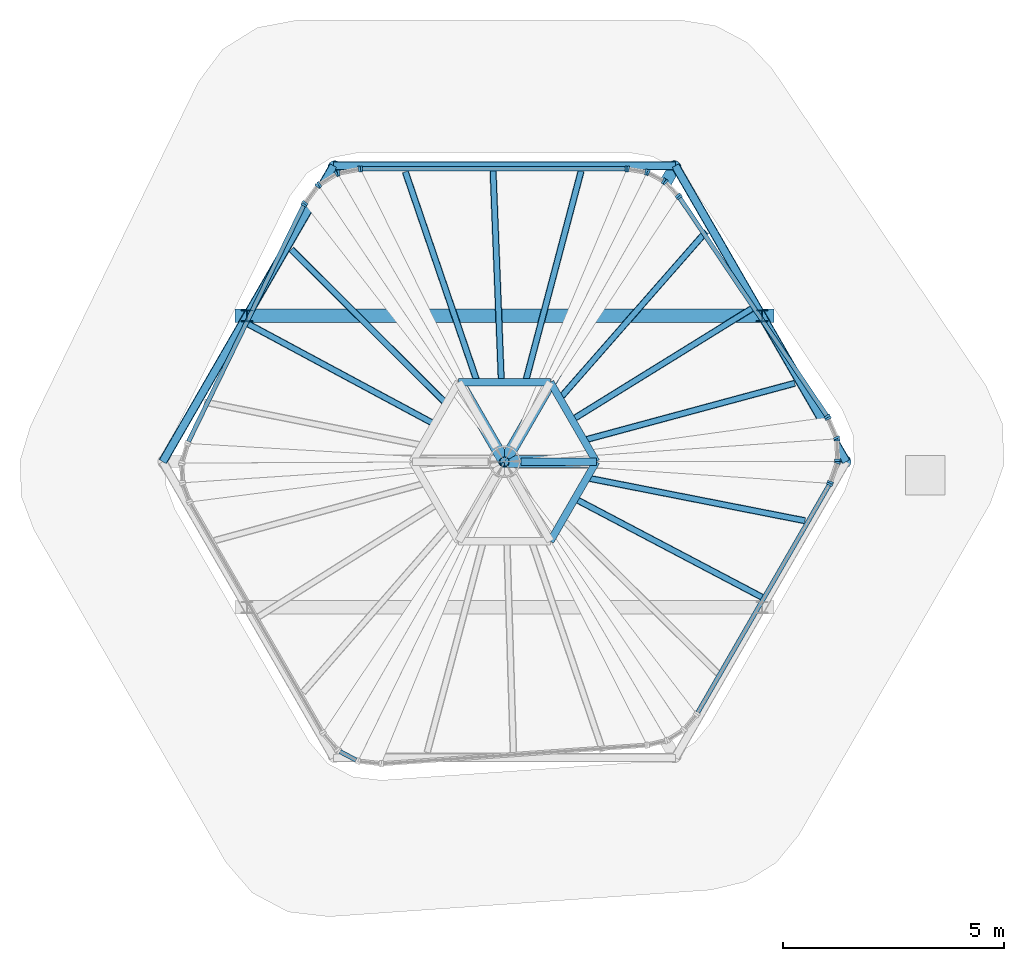
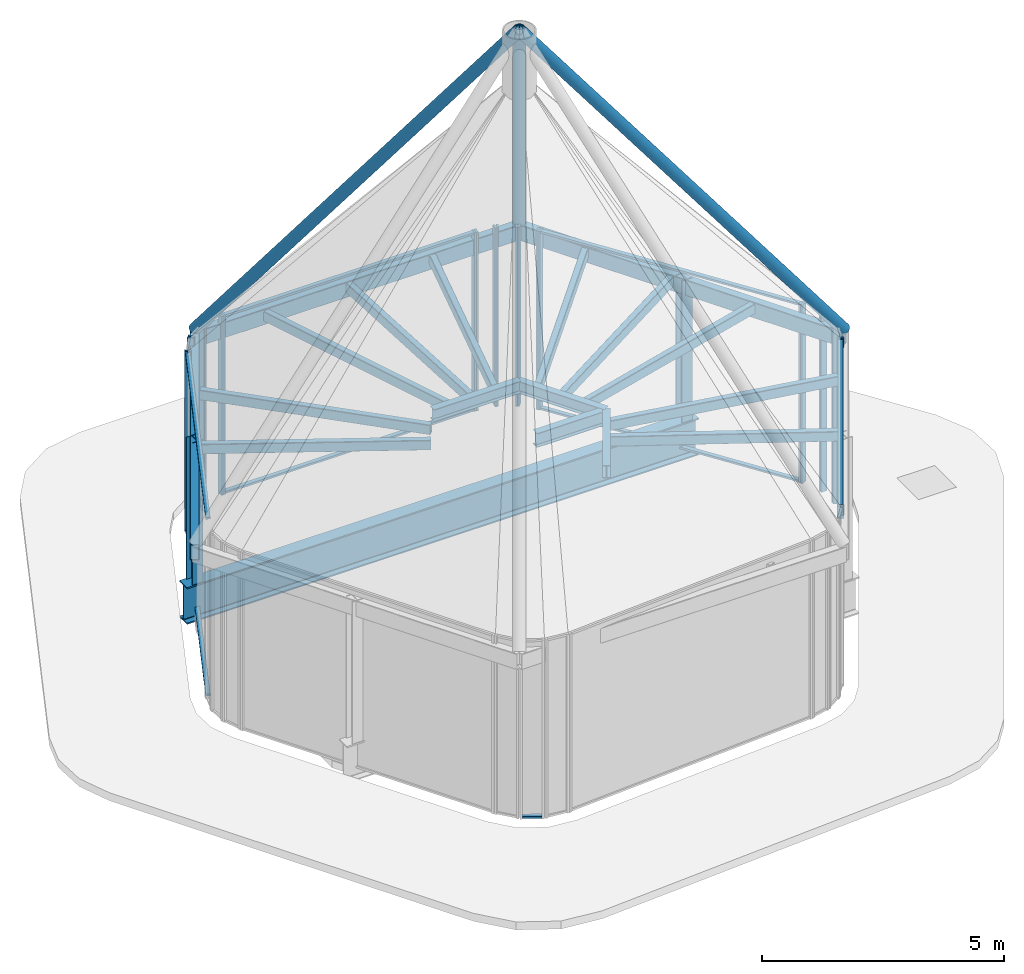
# One storey, part 2 of 4: 37 members, 18 beams, 14 elements without a shape of their own.
"""IFC4 building model written with IfcOpenShell, lengths in metres."""

import ifcopenshell
import ifcopenshell.guid

model = None  # the IFC model being written
_history = None  # IfcOwnerHistory: only IFC2X3 demands one
_inside = {}  # id of a spatial element -> (the spatial element, [elements in it])
_under = {}  # id of a project, library or spatial element -> (it, [spatial elements below it])
_declared = {}  # id of a project -> (the project, [libraries it declares])
_typed = {}  # id of a type object -> (the type object, [elements of that type])
_made_of = {}  # id of a material, layer set ... -> (it, [elements and type objects made of it])


def new_model(schema):
    """Start an empty IFC model of exactly this schema.

    Asked for "IFC4X3", IfcOpenShell would pick the latest addendum, in which some entities
    have other attributes; the version numbers below select the first issue.
    IFC2X3 requires an IfcOwnerHistory on every rooted entity: one is made here for all.
    """
    global model, _history
    if schema == "IFC4X3":
        model = ifcopenshell.file(schema_version=(4, 3, 0, 0))
    else:
        model = ifcopenshell.file(schema=schema)
    _inside.clear()
    _under.clear()
    _declared.clear()
    _typed.clear()
    _made_of.clear()
    _history = None
    if model.schema == "IFC2X3":
        org = make("IfcOrganization", Name="unknown")
        user = make(
            "IfcPersonAndOrganization",
            ThePerson=make("IfcPerson", FamilyName="unknown"),
            TheOrganization=org,
        )
        app = make(
            "IfcApplication",
            ApplicationDeveloper=org,
            Version="unknown",
            ApplicationFullName="unknown",
            ApplicationIdentifier="unknown",
        )
        _history = make(
            "IfcOwnerHistory",
            OwningUser=user,
            OwningApplication=app,
            ChangeAction="ADDED",
            CreationDate=0,
        )
    return model


def make(cls, **values):
    """One entity of the class cls with the attributes given. An attribute that is None is left unset."""
    return model.create_entity(
        cls, **{name: value for name, value in values.items() if value is not None}
    )


def rooted(cls, **values):
    """An entity with a GlobalId (a new one), such as an element, a storey or a relation."""
    return make(cls, GlobalId=ifcopenshell.guid.new(), OwnerHistory=_history, **values)


def si_unit(unit_type, name, prefix=None):
    """IfcSIUnit, for example si_unit("LENGTHUNIT", "METRE", prefix="MILLI")."""
    return make("IfcSIUnit", UnitType=unit_type, Prefix=prefix, Name=name)


def assignment(units):
    """IfcUnitAssignment: the units of a project."""
    return None if units is None else make("IfcUnitAssignment", Units=units)


def point(xyz):
    """IfcCartesianPoint."""
    return None if xyz is None else make("IfcCartesianPoint", Coordinates=xyz)


def direction(xyz):
    """IfcDirection."""
    return None if xyz is None else make("IfcDirection", DirectionRatios=xyz)


def frame(location, z_axis=None, x_axis=None):
    """IfcAxis2Placement3D, a coordinate frame: its origin and axes. An axis left out is left unset."""
    return make(
        "IfcAxis2Placement3D",
        Location=point(location),
        Axis=direction(z_axis),
        RefDirection=direction(x_axis),
    )


def frame_2d(location, x_axis=None):
    """IfcAxis2Placement2D, a coordinate frame in the plane: its origin and x axis."""
    return make(
        "IfcAxis2Placement2D", Location=point(location), RefDirection=direction(x_axis)
    )


def origin():
    """The frame at (0, 0, 0) with its axes left unset."""
    return frame((0.0, 0.0, 0.0))


def origin_2d():
    """The frame at (0, 0) in the plane with its x axis left unset."""
    return frame_2d((0.0, 0.0))


def place(relative_to, where):
    """IfcLocalPlacement: puts the frame where relative to a parent placement (None: the world)."""
    return make(
        "IfcLocalPlacement", PlacementRelTo=relative_to, RelativePlacement=where
    )


def context(
    kind, dimensions, precision=None, world=None, true_north=None, identifier=None
):
    """IfcGeometricRepresentationContext, for example the 3D "Model" context."""
    return make(
        "IfcGeometricRepresentationContext",
        ContextIdentifier=identifier,
        ContextType=kind,
        CoordinateSpaceDimension=dimensions,
        Precision=precision,
        WorldCoordinateSystem=world,
        TrueNorth=true_north,
    )


def subcontext(parent, identifier, kind, view, scale=None):
    """IfcGeometricRepresentationSubContext, for example "Body" below "Model"."""
    return make(
        "IfcGeometricRepresentationSubContext",
        ContextIdentifier=identifier,
        ContextType=kind,
        ParentContext=parent,
        TargetScale=scale,
        TargetView=view,
    )


def project(units=None, contexts=None):
    """IfcProject with its units and contexts."""
    return rooted(
        "IfcProject",
        Name="project",
        RepresentationContexts=contexts,
        UnitsInContext=assignment(units),
    )


def spatial(cls, under=None, at=None, **own):
    """A site, building, storey or space (cls), placed at a placement, below another one or the project."""
    s = rooted(cls, ObjectPlacement=at, **own)
    if under is not None:
        _under.setdefault(under.id(), (under, []))[1].append(s)
    return s


def profile(cls, at=None, kind="AREA", **sizes):
    """A parametric profile (cls). Its sizes go by their IFC names, for example OverallWidth=200.0."""
    return make(cls, ProfileType=kind, Position=at, **sizes)


def rectangle(**sizes):
    """IfcRectangleProfileDef."""
    return profile("IfcRectangleProfileDef", **sizes)


def hollow_rectangle(**sizes):
    """IfcRectangleHollowProfileDef."""
    return profile("IfcRectangleHollowProfileDef", **sizes)


def hollow_circle(**sizes):
    """IfcCircleHollowProfileDef."""
    return profile("IfcCircleHollowProfileDef", **sizes)


def i_section(**sizes):
    """IfcIShapeProfileDef."""
    return profile("IfcIShapeProfileDef", **sizes)


def extrude(swept, where, along, depth):
    """IfcExtrudedAreaSolid: the profile swept, set in the frame where, extruded along a direction by depth."""
    return make(
        "IfcExtrudedAreaSolid",
        SweptArea=swept,
        Position=where,
        ExtrudedDirection=direction(along),
        Depth=depth,
    )


def shape(context_of_items, identifier, shape_type, items):
    """IfcShapeRepresentation: the items that make up one representation, for example the "Body"."""
    return make(
        "IfcShapeRepresentation",
        ContextOfItems=context_of_items,
        RepresentationIdentifier=identifier,
        RepresentationType=shape_type,
        Items=items,
    )


def material(Name=None, Category=None):
    """IfcMaterial."""
    return make("IfcMaterial", Name=Name, Category=Category)


def material_profile(
    of_material, cross_section, Name=None, Category=None, Priority=None
):
    """IfcMaterialProfile: a cross section and its material."""
    return make(
        "IfcMaterialProfile",
        Name=Name,
        Material=of_material,
        Profile=cross_section,
        Priority=Priority,
        Category=Category,
    )


def profile_set(profiles, Name=None, composite=None):
    """IfcMaterialProfileSet."""
    return make(
        "IfcMaterialProfileSet",
        Name=Name,
        MaterialProfiles=profiles,
        CompositeProfile=composite,
    )


def made_of(thing, what):
    """Note that an element or type object is made of a material, layer set ...; save() writes the relation."""
    if what is not None:
        _made_of.setdefault(what.id(), (what, []))[1].append(thing)
    return thing


def type_object(cls, material=None, **own):
    """A type object (cls), such as IfcWallType, which elements share."""
    return made_of(rooted(cls, **own), material)


def element(
    cls,
    number,
    at=None,
    inside=None,
    cuts=None,
    type_object=None,
    material=None,
    context=None,
    identifier="Body",
    shape_type=None,
    held_by="IfcProductDefinitionShape",
    body=None,
    shapes=None,
    **own,
):
    """One element of the class cls, such as IfcWall. Its Tag is "e" and its number.

    at: its placement. inside: the storey or other place that contains it. cuts: it is an
    opening in that element (IfcRelVoidsElement). A single representation is given by context,
    identifier, shape_type and body (its items); several are given by shapes. held_by: the class
    of the entity that holds the representations. save() writes the other relations.
    """
    e = rooted(cls, Tag="e%d" % number, ObjectPlacement=at, **own)
    if body is not None:
        shapes = [shape(context, identifier, shape_type, body)]
    if shapes is not None:
        e.Representation = make(held_by, Representations=shapes)
    if inside is not None:
        _inside.setdefault(inside.id(), (inside, []))[1].append(e)
    if cuts is not None:
        rooted(
            "IfcRelVoidsElement", RelatingBuildingElement=cuts, RelatedOpeningElement=e
        )
    if type_object is not None:
        _typed.setdefault(type_object.id(), (type_object, []))[1].append(e)
    return made_of(e, material)


def aggregate(whole, parts):
    """IfcRelAggregates: a whole, such as a stair, and the parts it consists of."""
    return rooted("IfcRelAggregates", RelatingObject=whole, RelatedObjects=parts)


def save(model, path):
    """Write the relations noted so far, then the file.

    IfcRelAggregates (storeys below a building ...), IfcRelContainedInSpatialStructure (elements
    in a storey), IfcRelDefinesByType, IfcRelAssociatesMaterial and IfcRelDeclares: one each for
    every whole, place, type object, material and project.
    """
    for whole, parts in _under.values():
        aggregate(whole, parts)
    for where, things in _inside.values():
        rooted(
            "IfcRelContainedInSpatialStructure",
            RelatedElements=things,
            RelatingStructure=where,
        )
    for kind, things in _typed.values():
        rooted("IfcRelDefinesByType", RelatedObjects=things, RelatingType=kind)
    for what, things in _made_of.values():
        rooted("IfcRelAssociatesMaterial", RelatedObjects=things, RelatingMaterial=what)
    for by, libraries in _declared.values():
        rooted("IfcRelDeclares", RelatingContext=by, RelatedDefinitions=libraries)
    model.write(path)


model = new_model("IFC4")

# Units and contexts
model_context = context("Model", 3, precision=1e-05, world=origin(), true_north=direction((0.0, 1.0)))
body_context = subcontext(model_context, "Body", "Model", "MODEL_VIEW")
ifc_project = project(units=[si_unit("LENGTHUNIT", "METRE"), si_unit("AREAUNIT", "SQUARE_METRE"), si_unit("VOLUMEUNIT", "CUBIC_METRE"), si_unit("PLANEANGLEUNIT", "RADIAN"), si_unit("MASSUNIT", "GRAM", prefix="KILO")], contexts=[model_context])

# Site, building, storey
site_placement = place(None, origin())
site = spatial("IfcSite", under=ifc_project, at=site_placement, CompositionType="ELEMENT")
building_placement = place(site_placement, origin())
building = spatial("IfcBuilding", under=site, at=building_placement, Name="Tarnside Tower", CompositionType="ELEMENT")
storey_placement = place(building_placement, frame((0.0, 0.0, 410.699951171875)))
storey = spatial("IfcBuildingStorey", under=building, at=storey_placement, Name="L97", CompositionType="ELEMENT", Elevation=410.699951171875)

# Curtain wall, members
ifc_material_1 = material(Name="Crown glazing wall", Category="glass")
curtain_wall_type = type_object("IfcCurtainWallType", Name="Crown glazing wall", PredefinedType="NOTDEFINED", material=ifc_material_1)
curtain_wall_1_placement = place(storey_placement, origin())
curtain_wall_1 = element("IfcCurtainWall", 1, at=curtain_wall_1_placement, inside=storey, type_object=curtain_wall_type, Name="Crown glazing L97 00", PredefinedType="NOTDEFINED")
ifc_material_2 = material(Name="Aluminium alloy 6063", Category="aluminium")
ifc_material_profile_1 = material_profile(ifc_material_2, rectangle(XDim=0.139892578125, YDim=0.050048828125, at=origin_2d()), Name="Crown glazing mullion 50 x 140")
ifc_profile_set_1 = profile_set([ifc_material_profile_1], Name="Aluminium alloy 6063")
member_type_1 = type_object("IfcMemberType", Name="Crown glazing mullion 50 x 140", PredefinedType="MULLION", material=ifc_profile_set_1)
member_1_placement = place(storey_placement, frame((-3.235107421875, 6.6298828125, 0.0), z_axis=(0.0, 0.0, 1.0), x_axis=(0.0, 1.0, 0.0)))
member_1 = element("IfcMember", 2, at=member_1_placement, type_object=member_type_1, Name="CW6 mullion 1", PredefinedType="MULLION", context=body_context, shape_type="SweptSolid", body=[
    extrude(rectangle(XDim=0.139892578125, YDim=0.050048828125, at=origin_2d()), origin(), (0.0, 0.0, 1.0), 4.5),
])
member_2_placement = place(storey_placement, frame((2.74853515625, 6.6298828125, 0.0), z_axis=(0.0, 0.0, 1.0), x_axis=(0.0, 1.0, 0.0)))
member_2 = element("IfcMember", 3, at=member_2_placement, type_object=member_type_1, Name="CW6 mullion 2", PredefinedType="MULLION", context=body_context, shape_type="SweptSolid", body=[
    extrude(rectangle(XDim=0.139892578125, YDim=0.050048828125, at=origin_2d()), origin(), (0.0, 0.0, 1.0), 4.5),
])

curtain_wall_2_placement = place(storey_placement, origin())
curtain_wall_2 = element("IfcCurtainWall", 4, at=curtain_wall_2_placement, inside=storey, type_object=curtain_wall_type, Name="Crown glazing L97 01", PredefinedType="NOTDEFINED")
member_3_placement = place(storey_placement, frame((2.798095703125, 6.6259765625, 0.0), z_axis=(0.0, 0.0, 1.0), x_axis=(0.162177922497, 0.986761532213, 0.0)))
member_3 = element("IfcMember", 5, at=member_3_placement, type_object=member_type_1, Name="CW6 mullion 1", PredefinedType="MULLION", context=body_context, shape_type="SweptSolid", body=[
    extrude(rectangle(XDim=0.139892578125, YDim=0.050048828125, at=origin_2d()), origin(), (0.0, 0.0, 1.0), 4.5),
])
member_4_placement = place(storey_placement, frame((3.20751953125, 6.55859375, 0.0), z_axis=(0.0, 0.0, 1.0), x_axis=(0.162177922497, 0.986761532213, 0.0)))
member_4 = element("IfcMember", 6, at=member_4_placement, type_object=member_type_1, Name="CW6 mullion 2", PredefinedType="MULLION", context=body_context, shape_type="SweptSolid", body=[
    extrude(rectangle(XDim=0.139892578125, YDim=0.050048828125, at=origin_2d()), origin(), (0.0, 0.0, 1.0), 4.5),
])
aggregate(curtain_wall_2, [member_3, member_4])

curtain_wall_3_placement = place(storey_placement, origin())
curtain_wall_3 = element("IfcCurtainWall", 7, at=curtain_wall_3_placement, inside=storey, type_object=curtain_wall_type, Name="Crown glazing L97 02", PredefinedType="NOTDEFINED")
member_5_placement = place(storey_placement, frame((3.25439453125, 6.54296875, 0.0), z_axis=(0.0, 0.0, 1.0), x_axis=(0.469471563726, 0.882947592359, 0.0)))
member_5 = element("IfcMember", 8, at=member_5_placement, type_object=member_type_1, Name="CW6 mullion 1", PredefinedType="MULLION", context=body_context, shape_type="SweptSolid", body=[
    extrude(rectangle(XDim=0.139892578125, YDim=0.050048828125, at=origin_2d()), origin(), (0.0, 0.0, 1.0), 4.5),
])
member_6_placement = place(storey_placement, frame((3.6044921875, 6.356689453125, 0.0), z_axis=(0.0, 0.0, 1.0), x_axis=(0.469471563726, 0.882947592359, 0.0)))
member_6 = element("IfcMember", 9, at=member_6_placement, type_object=member_type_1, Name="CW6 mullion 2", PredefinedType="MULLION", context=body_context, shape_type="SweptSolid", body=[
    extrude(rectangle(XDim=0.139892578125, YDim=0.050048828125, at=origin_2d()), origin(), (0.0, 0.0, 1.0), 4.5),
])
aggregate(curtain_wall_3, [member_5, member_6])

curtain_wall_4_placement = place(storey_placement, origin())
curtain_wall_4 = element("IfcCurtainWall", 10, at=curtain_wall_4_placement, inside=storey, type_object=curtain_wall_type, Name="Crown glazing L97 03", PredefinedType="NOTDEFINED")
member_7_placement = place(storey_placement, frame((3.643798828125, 6.32666015625, 0.0), z_axis=(0.0, 0.0, 1.0), x_axis=(0.727373641361, 0.686241638093, 0.0)))
member_7 = element("IfcMember", 11, at=member_7_placement, type_object=member_type_1, Name="CW6 mullion 1", PredefinedType="MULLION", context=body_context, shape_type="SweptSolid", body=[
    extrude(rectangle(XDim=0.139892578125, YDim=0.050048828125, at=origin_2d()), origin(), (0.0, 0.0, 1.0), 4.5),
])
member_8_placement = place(storey_placement, frame((3.928466796875, 6.02490234375, 0.0), z_axis=(0.0, 0.0, 1.0), x_axis=(0.727373641361, 0.686241638093, 0.0)))
member_8 = element("IfcMember", 12, at=member_8_placement, type_object=member_type_1, Name="CW6 mullion 2", PredefinedType="MULLION", context=body_context, shape_type="SweptSolid", body=[
    extrude(rectangle(XDim=0.139892578125, YDim=0.050048828125, at=origin_2d()), origin(), (0.0, 0.0, 1.0), 4.5),
])
aggregate(curtain_wall_4, [member_7, member_8])

curtain_wall_5_placement = place(storey_placement, origin())
curtain_wall_5 = element("IfcCurtainWall", 13, at=curtain_wall_5_placement, inside=storey, type_object=curtain_wall_type, Name="Crown glazing L97 04", PredefinedType="NOTDEFINED")
member_9_placement = place(storey_placement, frame((3.95947265625, 5.986083984375, 0.0), z_axis=(0.0, 0.0, 1.0), x_axis=(0.829037572526, 0.559192903514, 0.0)))
member_9 = element("IfcMember", 14, at=member_9_placement, type_object=member_type_1, Name="CW6 mullion 1", PredefinedType="MULLION", context=body_context, shape_type="SweptSolid", body=[
    extrude(rectangle(XDim=0.139892578125, YDim=0.050048828125, at=origin_2d()), origin(), (0.0, 0.0, 1.0), 4.5),
])
member_10_placement = place(storey_placement, frame((7.305419921875, 1.025390625, 0.0), z_axis=(0.0, 0.0, 1.0), x_axis=(0.829037572526, 0.559192903514, 0.0)))
member_10 = element("IfcMember", 15, at=member_10_placement, type_object=member_type_1, Name="CW6 mullion 2", PredefinedType="MULLION", context=body_context, shape_type="SweptSolid", body=[
    extrude(rectangle(XDim=0.139892578125, YDim=0.050048828125, at=origin_2d()), origin(), (0.0, 0.0, 1.0), 4.5),
])

curtain_wall_6_placement = place(storey_placement, origin())
curtain_wall_6 = element("IfcCurtainWall", 16, at=curtain_wall_6_placement, inside=storey, type_object=curtain_wall_type, Name="Crown glazing L97 05", PredefinedType="NOTDEFINED")
member_11_placement = place(storey_placement, frame((7.329345703125, 0.981689453125, 0.0), z_axis=(0.0, 0.0, 1.0), x_axis=(0.918216107394, 0.396079764848, 0.0)))
member_11 = element("IfcMember", 17, at=member_11_placement, type_object=member_type_1, Name="CW6 mullion 1", PredefinedType="MULLION", context=body_context, shape_type="SweptSolid", body=[
    extrude(rectangle(XDim=0.139892578125, YDim=0.050048828125, at=origin_2d()), origin(), (0.0, 0.0, 1.0), 4.5),
])
member_12_placement = place(storey_placement, frame((7.51953125, 0.540771484375, 0.0), z_axis=(0.0, 0.0, 1.0), x_axis=(0.918216107394, 0.396079764848, 0.0)))
member_12 = element("IfcMember", 18, at=member_12_placement, type_object=member_type_1, Name="CW6 mullion 2", PredefinedType="MULLION", context=body_context, shape_type="SweptSolid", body=[
    extrude(rectangle(XDim=0.139892578125, YDim=0.050048828125, at=origin_2d()), origin(), (0.0, 0.0, 1.0), 4.5),
])
aggregate(curtain_wall_6, [member_11, member_12])

curtain_wall_7_placement = place(storey_placement, origin())
curtain_wall_7 = element("IfcCurtainWall", 19, at=curtain_wall_7_placement, inside=storey, type_object=curtain_wall_type, Name="Crown glazing L97 06", PredefinedType="NOTDEFINED")
member_13_placement = place(storey_placement, frame((7.530517578125, 0.492919921875, 0.0), z_axis=(0.0, 0.0, 1.0), x_axis=(0.999390827017, 0.034899496755, 0.0)))
member_13 = element("IfcMember", 20, at=member_13_placement, type_object=member_type_1, Name="CW6 mullion 1", PredefinedType="MULLION", context=body_context, shape_type="SweptSolid", body=[
    extrude(rectangle(XDim=0.139892578125, YDim=0.050048828125, at=origin_2d()), origin(), (0.0, 0.0, 1.0), 4.5),
])
member_14_placement = place(storey_placement, frame((7.54638671875, 0.03369140625, 0.0), z_axis=(0.0, 0.0, 1.0), x_axis=(0.999390827017, 0.034899496755, 0.0)))
member_14 = element("IfcMember", 21, at=member_14_placement, type_object=member_type_1, Name="CW6 mullion 2", PredefinedType="MULLION", context=body_context, shape_type="SweptSolid", body=[
    extrude(rectangle(XDim=0.139892578125, YDim=0.050048828125, at=origin_2d()), origin(), (0.0, 0.0, 1.0), 4.5),
])
aggregate(curtain_wall_7, [member_13, member_14])

curtain_wall_8_placement = place(storey_placement, origin())
curtain_wall_8 = element("IfcCurtainWall", 22, at=curtain_wall_8_placement, inside=storey, type_object=curtain_wall_type, Name="Crown glazing L97 07", PredefinedType="NOTDEFINED")
member_15_placement = place(storey_placement, frame((7.5390625, -0.014892578125, 0.0), z_axis=(0.0, 0.0, 1.0), x_axis=(0.943608506939, -0.331063416331, 0.0)))
member_15 = element("IfcMember", 23, at=member_15_placement, type_object=member_type_1, Name="CW6 mullion 1", PredefinedType="MULLION", context=body_context, shape_type="SweptSolid", body=[
    extrude(rectangle(XDim=0.139892578125, YDim=0.050048828125, at=origin_2d()), origin(), (0.0, 0.0, 1.0), 4.5),
])
member_16_placement = place(storey_placement, frame((7.380126953125, -0.46826171875, 0.0), z_axis=(0.0, 0.0, 1.0), x_axis=(0.943608506939, -0.331063416331, 0.0)))
member_16 = element("IfcMember", 24, at=member_16_placement, type_object=member_type_1, Name="CW6 mullion 2", PredefinedType="MULLION", context=body_context, shape_type="SweptSolid", body=[
    extrude(rectangle(XDim=0.139892578125, YDim=0.050048828125, at=origin_2d()), origin(), (0.0, 0.0, 1.0), 4.5),
])
aggregate(curtain_wall_8, [member_15, member_16])

# Curtain wall, member
curtain_wall_9_placement = place(storey_placement, origin())
curtain_wall_9 = element("IfcCurtainWall", 25, at=curtain_wall_9_placement, inside=storey, type_object=curtain_wall_type, Name="Crown glazing L97 08", PredefinedType="NOTDEFINED")
member_17_placement = place(storey_placement, frame((7.359375, -0.513427734375, 0.0), z_axis=(0.0, 0.0, 1.0), x_axis=(0.866025403706, -0.500000000136, 0.0)))
member_17 = element("IfcMember", 26, at=member_17_placement, type_object=member_type_1, Name="CW6 mullion 1", PredefinedType="MULLION", context=body_context, shape_type="SweptSolid", body=[
    extrude(rectangle(XDim=0.139892578125, YDim=0.050048828125, at=origin_2d()), origin(), (0.0, 0.0, 1.0), 4.5),
])

curtain_wall_10_placement = place(storey_placement, origin())
curtain_wall_10 = element("IfcCurtainWall", 27, at=curtain_wall_10_placement, inside=storey, type_object=curtain_wall_type, Name="Crown glazing L97 20", PredefinedType="NOTDEFINED")
member_18_placement = place(storey_placement, frame((-4.540771484375, 5.81396484375, 0.0), z_axis=(0.0, 0.0, 1.0), x_axis=(-0.898794046246, 0.438371146899, 0.0)))
member_18 = element("IfcMember", 28, at=member_18_placement, type_object=member_type_1, Name="CW6 mullion 2", PredefinedType="MULLION", context=body_context, shape_type="SweptSolid", body=[
    extrude(rectangle(XDim=0.139892578125, YDim=0.050048828125, at=origin_2d()), origin(), (0.0, 0.0, 1.0), 4.5),
])

# Curtain wall, members
curtain_wall_11_placement = place(storey_placement, origin())
curtain_wall_11 = element("IfcCurtainWall", 29, at=curtain_wall_11_placement, inside=storey, type_object=curtain_wall_type, Name="Crown glazing L97 21", PredefinedType="NOTDEFINED")
member_19_placement = place(storey_placement, frame((-4.514892578125, 5.8564453125, 0.0), z_axis=(0.0, 0.0, 1.0), x_axis=(-0.802123193492, 0.597158590713, 0.0)))
member_19 = element("IfcMember", 30, at=member_19_placement, type_object=member_type_1, Name="CW6 mullion 1", PredefinedType="MULLION", context=body_context, shape_type="SweptSolid", body=[
    extrude(rectangle(XDim=0.139892578125, YDim=0.050048828125, at=origin_2d()), origin(), (0.0, 0.0, 1.0), 4.5),
])
member_20_placement = place(storey_placement, frame((-4.22802734375, 6.241943359375, 0.0), z_axis=(0.0, 0.0, 1.0), x_axis=(-0.802123193492, 0.597158590713, 0.0)))
member_20 = element("IfcMember", 31, at=member_20_placement, type_object=member_type_1, Name="CW6 mullion 2", PredefinedType="MULLION", context=body_context, shape_type="SweptSolid", body=[
    extrude(rectangle(XDim=0.139892578125, YDim=0.050048828125, at=origin_2d()), origin(), (0.0, 0.0, 1.0), 4.5),
])
aggregate(curtain_wall_11, [member_19, member_20])

curtain_wall_12_placement = place(storey_placement, origin())
curtain_wall_12 = element("IfcCurtainWall", 32, at=curtain_wall_12_placement, inside=storey, type_object=curtain_wall_type, Name="Crown glazing L97 22", PredefinedType="NOTDEFINED")
member_21_placement = place(storey_placement, frame((-4.19189453125, 6.275146484375, 0.0), z_axis=(0.0, 0.0, 1.0), x_axis=(-0.52991926333, 0.848048096721, 0.0)))
member_21 = element("IfcMember", 33, at=member_21_placement, type_object=member_type_1, Name="CW6 mullion 1", PredefinedType="MULLION", context=body_context, shape_type="SweptSolid", body=[
    extrude(rectangle(XDim=0.139892578125, YDim=0.050048828125, at=origin_2d()), origin(), (0.0, 0.0, 1.0), 4.5),
])
member_22_placement = place(storey_placement, frame((-3.802490234375, 6.5185546875, 0.0), z_axis=(0.0, 0.0, 1.0), x_axis=(-0.52991926333, 0.848048096721, 0.0)))
member_22 = element("IfcMember", 34, at=member_22_placement, type_object=member_type_1, Name="CW6 mullion 2", PredefinedType="MULLION", context=body_context, shape_type="SweptSolid", body=[
    extrude(rectangle(XDim=0.139892578125, YDim=0.050048828125, at=origin_2d()), origin(), (0.0, 0.0, 1.0), 4.5),
])
aggregate(curtain_wall_12, [member_21, member_22])

curtain_wall_13_placement = place(storey_placement, origin())
curtain_wall_13 = element("IfcCurtainWall", 35, at=curtain_wall_13_placement, inside=storey, type_object=curtain_wall_type, Name="Crown glazing L97 23", PredefinedType="NOTDEFINED")
member_23_placement = place(storey_placement, frame((-3.756591796875, 6.536376953125, 0.0), z_axis=(0.0, 0.0, 1.0), x_axis=(-0.185094923342, 0.98272064665, 0.0)))
member_23 = element("IfcMember", 36, at=member_23_placement, type_object=member_type_1, Name="CW6 mullion 1", PredefinedType="MULLION", context=body_context, shape_type="SweptSolid", body=[
    extrude(rectangle(XDim=0.139892578125, YDim=0.050048828125, at=origin_2d()), origin(), (0.0, 0.0, 1.0), 4.5),
])
member_24_placement = place(storey_placement, frame((-3.28466796875, 6.62548828125, 0.0), z_axis=(0.0, 0.0, 1.0), x_axis=(-0.185094923342, 0.98272064665, 0.0)))
member_24 = element("IfcMember", 37, at=member_24_placement, type_object=member_type_1, Name="CW6 mullion 2", PredefinedType="MULLION", context=body_context, shape_type="SweptSolid", body=[
    extrude(rectangle(XDim=0.139892578125, YDim=0.050048828125, at=origin_2d()), origin(), (0.0, 0.0, 1.0), 4.5),
])
aggregate(curtain_wall_13, [member_23, member_24])

# Member
ifc_material_profile_2 = material_profile(ifc_material_2, rectangle(XDim=0.10009765625, YDim=0.050048828125, at=origin_2d()), Name="Crown glazing transom 50 x 100")
ifc_profile_set_2 = profile_set([ifc_material_profile_2], Name="Aluminium alloy 6063")
member_type_2 = type_object("IfcMemberType", Name="Crown glazing transom 50 x 100", PredefinedType="USERDEFINED", material=ifc_profile_set_2)
member_25_placement = place(storey_placement, frame((-3.2099609375, 6.6298828125, 0.025146484375), z_axis=(1.0, 0.0, 0.0), x_axis=(0.0, 1.0, 0.0)))
member_25 = element("IfcMember", 38, at=member_25_placement, type_object=member_type_2, Name="CW6 transom 1.1", ObjectType="TRANSOM", PredefinedType="USERDEFINED", context=body_context, shape_type="SweptSolid", body=[
    extrude(rectangle(XDim=0.10009765625, YDim=0.050048828125, at=origin_2d()), origin(), (0.0, 0.0, 1.0), 5.93359375),
])

member_26_placement = place(storey_placement, frame((-3.2099609375, 6.6298828125, 4.47509765625), z_axis=(1.0, 0.0, 0.0), x_axis=(0.0, 1.0, 0.0)))
member_26 = element("IfcMember", 39, at=member_26_placement, type_object=member_type_2, Name="CW6 transom 1.2", ObjectType="TRANSOM", PredefinedType="USERDEFINED", context=body_context, shape_type="SweptSolid", body=[
    extrude(rectangle(XDim=0.10009765625, YDim=0.050048828125, at=origin_2d()), origin(), (0.0, 0.0, 1.0), 5.93359375),
])

aggregate(curtain_wall_1, [member_1, member_2, member_25, member_26])

member_27_placement = place(storey_placement, frame((3.9736328125, 5.96533203125, 0.025146484375), z_axis=(0.559173896325, -0.82905039272, 0.0), x_axis=(0.82905039272, 0.559173896325, 0.0)))
member_27 = element("IfcMember", 40, at=member_27_placement, type_object=member_type_2, Name="CW6 transom 1.1", ObjectType="TRANSOM", PredefinedType="USERDEFINED", context=body_context, shape_type="SweptSolid", body=[
    extrude(rectangle(XDim=0.10009765625, YDim=0.050048828125, at=origin_2d()), origin(), (0.0, 0.0, 1.0), 5.93359375),
])

member_28_placement = place(storey_placement, frame((3.9736328125, 5.96533203125, 4.47509765625), z_axis=(0.559173896325, -0.82905039272, 0.0), x_axis=(0.82905039272, 0.559173896325, 0.0)))
member_28 = element("IfcMember", 41, at=member_28_placement, type_object=member_type_2, Name="CW6 transom 1.2", ObjectType="TRANSOM", PredefinedType="USERDEFINED", context=body_context, shape_type="SweptSolid", body=[
    extrude(rectangle(XDim=0.10009765625, YDim=0.050048828125, at=origin_2d()), origin(), (0.0, 0.0, 1.0), 5.93359375),
])

aggregate(curtain_wall_5, [member_9, member_10, member_27, member_28])

member_29_placement = place(storey_placement, frame((7.3466796875, -0.53515625, 4.47509765625), z_axis=(-0.500015704134, -0.866016336809, 0.0), x_axis=(0.866016336809, -0.500015704134, 0.0)))
member_29 = element("IfcMember", 42, at=member_29_placement, type_object=member_type_2, Name="CW6 transom 1.2", ObjectType="TRANSOM", PredefinedType="USERDEFINED", context=body_context, shape_type="SweptSolid", body=[
    extrude(rectangle(XDim=0.10009765625, YDim=0.050048828125, at=origin_2d()), origin(), (0.0, 0.0, 1.0), 5.933349609375),
])

aggregate(curtain_wall_9, [member_17, member_29])

# Curtain wall, member
curtain_wall_14_placement = place(storey_placement, origin())
curtain_wall_14 = element("IfcCurtainWall", 43, at=curtain_wall_14_placement, inside=storey, type_object=curtain_wall_type, Name="Crown glazing L97 14", PredefinedType="NOTDEFINED")
member_30_placement = place(storey_placement, frame((-3.360595703125, -6.756103515625, 0.025146484375), z_axis=(-0.88293027169, 0.469504137716, 0.0), x_axis=(-0.469504137716, -0.88293027169, 0.0)))
member_30 = element("IfcMember", 44, at=member_30_placement, type_object=member_type_2, Name="CW6 transom 1.1", ObjectType="TRANSOM", PredefinedType="USERDEFINED", context=body_context, shape_type="SweptSolid", body=[
    extrude(rectangle(XDim=0.10009765625, YDim=0.050048828125, at=origin_2d()), origin(), (0.0, 0.0, 1.0), 0.4091796875),
])
aggregate(curtain_wall_14, [member_30])

# Member
member_31_placement = place(storey_placement, frame((-7.15283203125, 0.45849609375, 0.025146484375), z_axis=(0.438370127525, 0.898794543427, 0.0), x_axis=(-0.898794543427, 0.438370127525, 0.0)))
member_31 = element("IfcMember", 45, at=member_31_placement, type_object=member_type_2, Name="CW6 transom 1.1", ObjectType="TRANSOM", PredefinedType="USERDEFINED", context=body_context, shape_type="SweptSolid", body=[
    extrude(rectangle(XDim=0.10009765625, YDim=0.050048828125, at=origin_2d()), origin(), (0.0, 0.0, 1.0), 5.93359375),
])

member_32_placement = place(storey_placement, frame((-7.15283203125, 0.45849609375, 4.47509765625), z_axis=(0.438370127525, 0.898794543427, 0.0), x_axis=(-0.898794543427, 0.438370127525, 0.0)))
member_32 = element("IfcMember", 46, at=member_32_placement, type_object=member_type_2, Name="CW6 transom 1.2", ObjectType="TRANSOM", PredefinedType="USERDEFINED", context=body_context, shape_type="SweptSolid", body=[
    extrude(rectangle(XDim=0.10009765625, YDim=0.050048828125, at=origin_2d()), origin(), (0.0, 0.0, 1.0), 5.93359375),
])

aggregate(curtain_wall_10, [member_18, member_31, member_32])

# Members
ifc_material_3 = material(Name="Steel S355", Category="steel")
ifc_material_profile_3 = material_profile(ifc_material_3, hollow_circle(Radius=0.136474609375, WallThickness=0.012451171875, at=origin_2d()), Name="CHS 273x12.5")
ifc_profile_set_3 = profile_set([ifc_material_profile_3], Name="Steel S355")
member_type_3 = type_object("IfcMemberType", Name="Crown rafter CHS 273x12.5", PredefinedType="RAFTER", material=ifc_profile_set_3)
member_33_placement = place(storey_placement, frame((-3.8681640625, 6.699951171875, 4.300048828125), z_axis=(0.301214180284, -0.521725621657, 0.798168148514), x_axis=(0.866028456981, 0.499994711672, 0.0)))
element("IfcMember", 47, at=member_33_placement, inside=storey, type_object=member_type_3, Name="Pyramid rib 1", PredefinedType="RAFTER", context=body_context, shape_type="SweptSolid", body=[
    extrude(hollow_circle(Radius=0.136474609375, WallThickness=0.012451171875, at=origin_2d()), origin(), (0.0, 0.0, 1.0), 12.841796875),
])
member_34_placement = place(storey_placement, frame((7.736572265625, 0.0, 4.300048828125), z_axis=(-0.602442784499, 0.0, 0.798162070889), x_axis=(0.0, -1.0, 0.0)))
element("IfcMember", 48, at=member_34_placement, inside=storey, type_object=member_type_3, Name="Pyramid rib 5", PredefinedType="RAFTER", context=body_context, shape_type="SweptSolid", body=[
    extrude(hollow_circle(Radius=0.136474609375, WallThickness=0.012451171875, at=origin_2d()), origin(), (0.0, 0.0, 1.0), 12.842041015625),
])
member_35_placement = place(storey_placement, frame((3.8681640625, 6.699951171875, 4.300048828125), z_axis=(-0.301214180284, -0.521725621657, 0.798168148514), x_axis=(0.866028456981, -0.499994711672, 0.0)))
element("IfcMember", 49, at=member_35_placement, inside=storey, type_object=member_type_3, Name="Pyramid rib 6", PredefinedType="RAFTER", context=body_context, shape_type="SweptSolid", body=[
    extrude(hollow_circle(Radius=0.136474609375, WallThickness=0.012451171875, at=origin_2d()), origin(), (0.0, 0.0, 1.0), 12.841796875),
])

# Beams
ifc_material_profile_4 = material_profile(ifc_material_3, hollow_rectangle(XDim=0.14990234375, YDim=0.25, WallThickness=0.010009765625, InnerFilletRadius=0.010009765625, OuterFilletRadius=0.02001953125, at=origin_2d()), Name="RHS 250x150x10")
ifc_profile_set_4 = profile_set([ifc_material_profile_4], Name="Steel S355")
beam_type_1 = type_object("IfcBeamType", Name="Floor beam RHS 250x150x10", PredefinedType="BEAM", material=ifc_profile_set_4)
beam_1_placement = place(storey_placement, frame((1.735107421875, 6.58056640625, 4.175048828125), z_axis=(-0.254952099431, -0.966953683997, 0.0), x_axis=(0.966953683997, -0.254952099431, 0.0)))
element("IfcBeam", 50, at=beam_1_placement, inside=storey, type_object=beam_type_1, Name="Floor beam RB1", PredefinedType="BEAM", context=body_context, shape_type="SweptSolid", body=[
    extrude(hollow_rectangle(XDim=0.14990234375, YDim=0.25, WallThickness=0.010009765625, InnerFilletRadius=0.010009765625, OuterFilletRadius=0.02001953125, at=origin_2d()), origin(), (0.0, 0.0, 1.0), 4.923828125),
])
beam_2_placement = place(storey_placement, frame((-0.2578125, 6.580078125, 4.175048828125), z_axis=(0.039155465552, -0.999233130714, 0.0), x_axis=(0.999233130714, 0.039155465552, 0.0)))
element("IfcBeam", 51, at=beam_2_placement, inside=storey, type_object=beam_type_1, Name="Floor beam RB2", PredefinedType="BEAM", context=body_context, shape_type="SweptSolid", body=[
    extrude(hollow_rectangle(XDim=0.14990234375, YDim=0.25, WallThickness=0.010009765625, InnerFilletRadius=0.010009765625, OuterFilletRadius=0.02001953125, at=origin_2d()), origin(), (0.0, 0.0, 1.0), 4.763671875),
])
beam_3_placement = place(storey_placement, frame((-2.244384765625, 6.562255859375, 4.175048828125), z_axis=(0.323596675006, -0.946195113032, 0.0), x_axis=(0.946195113032, 0.323596675006, 0.0)))
element("IfcBeam", 52, at=beam_3_placement, inside=storey, type_object=beam_type_1, Name="Floor beam RB3", PredefinedType="BEAM", context=body_context, shape_type="SweptSolid", body=[
    extrude(hollow_rectangle(XDim=0.14990234375, YDim=0.25, WallThickness=0.010009765625, InnerFilletRadius=0.010009765625, OuterFilletRadius=0.02001953125, at=origin_2d()), origin(), (0.0, 0.0, 1.0), 4.992919921875),
])
beam_4_placement = place(storey_placement, frame((-4.82470703125, 4.8046875, 4.175048828125), z_axis=(0.708591878718, -0.705618558015, 0.0), x_axis=(0.705618558015, 0.708591878718, 0.0)))
element("IfcBeam", 53, at=beam_4_placement, inside=storey, type_object=beam_type_1, Name="Floor beam RB4", PredefinedType="BEAM", context=body_context, shape_type="SweptSolid", body=[
    extrude(hollow_rectangle(XDim=0.14990234375, YDim=0.25, WallThickness=0.010009765625, InnerFilletRadius=0.010009765625, OuterFilletRadius=0.02001953125, at=origin_2d()), origin(), (0.0, 0.0, 1.0), 4.926513671875),
])
beam_5_placement = place(storey_placement, frame((-5.79931640625, 3.115234375, 4.175048828125), z_axis=(0.88093981523, -0.47322831904, 0.0), x_axis=(0.47322831904, 0.88093981523, 0.0)))
element("IfcBeam", 54, at=beam_5_placement, inside=storey, type_object=beam_type_1, Name="Floor beam RB5", PredefinedType="BEAM", context=body_context, shape_type="SweptSolid", body=[
    extrude(hollow_rectangle(XDim=0.14990234375, YDim=0.25, WallThickness=0.010009765625, InnerFilletRadius=0.010009765625, OuterFilletRadius=0.02001953125, at=origin_2d()), origin(), (0.0, 0.0, 1.0), 4.76220703125),
])
beam_6_placement = place(storey_placement, frame((5.827392578125, -3.066650390625, 4.175048828125), z_axis=(-0.884937120858, 0.465710523961, 0.0), x_axis=(-0.465710523961, -0.884937120858, 0.0)))
element("IfcBeam", 55, at=beam_6_placement, inside=storey, type_object=beam_type_1, Name="Floor beam RB14", PredefinedType="BEAM", context=body_context, shape_type="SweptSolid", body=[
    extrude(hollow_rectangle(XDim=0.14990234375, YDim=0.25, WallThickness=0.010009765625, InnerFilletRadius=0.010009765625, OuterFilletRadius=0.02001953125, at=origin_2d()), origin(), (0.0, 0.0, 1.0), 4.763671875),
])
beam_7_placement = place(storey_placement, frame((6.80517578125, -1.33740234375, 4.175048828125), z_axis=(-0.981227841446, 0.192852075879, 0.0), x_axis=(-0.192852075879, -0.981227841446, 0.0)))
element("IfcBeam", 56, at=beam_7_placement, inside=storey, type_object=beam_type_1, Name="Floor beam RB15", PredefinedType="BEAM", context=body_context, shape_type="SweptSolid", body=[
    extrude(hollow_rectangle(XDim=0.14990234375, YDim=0.25, WallThickness=0.010009765625, InnerFilletRadius=0.010009765625, OuterFilletRadius=0.02001953125, at=origin_2d()), origin(), (0.0, 0.0, 1.0), 4.992919921875),
])
beam_8_placement = place(storey_placement, frame((6.573486328125, 1.77587890625, 4.175048828125), z_axis=(-0.965390037971, -0.260810418861, 0.0), x_axis=(0.260810418861, -0.965390037971, 0.0)))
element("IfcBeam", 57, at=beam_8_placement, inside=storey, type_object=beam_type_1, Name="Floor beam RB16", PredefinedType="BEAM", context=body_context, shape_type="SweptSolid", body=[
    extrude(hollow_rectangle(XDim=0.14990234375, YDim=0.25, WallThickness=0.010009765625, InnerFilletRadius=0.010009765625, OuterFilletRadius=0.02001953125, at=origin_2d()), origin(), (0.0, 0.0, 1.0), 4.926513671875),
])
beam_9_placement = place(storey_placement, frame((5.59765625, 3.464599609375, 4.175048828125), z_axis=(-0.850300106635, -0.526298136664, 0.0), x_axis=(0.526298136664, -0.850300106635, 0.0)))
element("IfcBeam", 58, at=beam_9_placement, inside=storey, type_object=beam_type_1, Name="Floor beam RB17", PredefinedType="BEAM", context=body_context, shape_type="SweptSolid", body=[
    extrude(hollow_rectangle(XDim=0.14990234375, YDim=0.25, WallThickness=0.010009765625, InnerFilletRadius=0.010009765625, OuterFilletRadius=0.02001953125, at=origin_2d()), origin(), (0.0, 0.0, 1.0), 4.76220703125),
])
beam_10_placement = place(storey_placement, frame((4.56787109375, 5.21240234375, 4.175048828125), z_axis=(-0.659093303839, -0.752061178917, 0.0), x_axis=(0.752061178917, -0.659093303839, 0.0)))
element("IfcBeam", 59, at=beam_10_placement, inside=storey, type_object=beam_type_1, Name="Floor beam RB18", PredefinedType="BEAM", context=body_context, shape_type="SweptSolid", body=[
    extrude(hollow_rectangle(XDim=0.14990234375, YDim=0.25, WallThickness=0.010009765625, InnerFilletRadius=0.010009765625, OuterFilletRadius=0.02001953125, at=origin_2d()), origin(), (0.0, 0.0, 1.0), 4.989501953125),
])
ifc_material_profile_5 = material_profile(ifc_material_3, hollow_rectangle(XDim=0.199951171875, YDim=0.39990234375, WallThickness=0.012451171875, InnerFilletRadius=0.012451171875, OuterFilletRadius=0.02490234375, at=origin_2d()), Name="RHS 400x200x12.5")
ifc_profile_set_5 = profile_set([ifc_material_profile_5], Name="Steel S355")
beam_type_2 = type_object("IfcBeamType", Name="Floor beam RHS 400x200x12.5", PredefinedType="BEAM", material=ifc_profile_set_5)
for number, where, z_axis, x_axis, name in (
    (60, (-3.8681640625, 6.699951171875, 4.10009765625), (-0.500018379294, -0.866014792234, 0.0), (0.866014792234, -0.500018379294, 0.0), "Floor beam ER1"),
    (61, (7.736572265625, 0.0, 4.10009765625), (-0.500018379294, 0.866014792234, 0.0), (-0.866014792234, -0.500018379294, 0.0), "Floor beam ER5"),
):
    element("IfcBeam", number, at=place(storey_placement, frame(where, z_axis=z_axis, x_axis=x_axis)), inside=storey, type_object=beam_type_2, Name=name, PredefinedType="BEAM", context=body_context, shape_type="SweptSolid", body=[
        extrude(hollow_rectangle(XDim=0.199951171875, YDim=0.39990234375, WallThickness=0.012451171875, InnerFilletRadius=0.012451171875, OuterFilletRadius=0.02490234375, at=origin_2d()), origin(), (0.0, 0.0, 1.0), 7.736572265625),
    ])
beam_11_placement = place(storey_placement, frame((3.8681640625, 6.699951171875, 4.10009765625), z_axis=(-1.0, 0.0, 0.0), x_axis=(0.0, -1.0, 0.0)))
element("IfcBeam", 62, at=beam_11_placement, inside=storey, type_object=beam_type_2, Name="Floor beam ER6", PredefinedType="BEAM", context=body_context, shape_type="SweptSolid", body=[
    extrude(hollow_rectangle(XDim=0.199951171875, YDim=0.39990234375, WallThickness=0.012451171875, InnerFilletRadius=0.012451171875, OuterFilletRadius=0.02490234375, at=origin_2d()), origin(), (0.0, 0.0, 1.0), 7.736328125),
])
ifc_material_profile_6 = material_profile(ifc_material_3, i_section(OverallWidth=0.1650390625, OverallDepth=0.303466796875, WebThickness=0.006103515625, FlangeThickness=0.01025390625, FilletRadius=0.0087890625, at=origin_2d()), Name="UB 305x165x40")
ifc_profile_set_6 = profile_set([ifc_material_profile_6], Name="Steel S355")
beam_type_3 = type_object("IfcBeamType", Name="Floor beam UB 305x165x40", PredefinedType="BEAM", material=ifc_profile_set_6)
beam_12_placement = place(storey_placement, frame((2.078369140625, 0.0, 4.1484375), z_axis=(-0.499929208183, 0.866066271601, 0.0), x_axis=(-0.866066271601, -0.499929208183, 0.0)))
element("IfcBeam", 63, at=beam_12_placement, inside=storey, type_object=beam_type_3, Name="Floor beam CL1", PredefinedType="BEAM", context=body_context, shape_type="SweptSolid", body=[
    extrude(i_section(OverallWidth=0.1650390625, OverallDepth=0.303466796875, WebThickness=0.006103515625, FlangeThickness=0.01025390625, FilletRadius=0.0087890625, at=origin_2d()), origin(), (0.0, 0.0, 1.0), 2.078369140625),
])
beam_13_placement = place(storey_placement, frame((1.039306640625, 1.800048828125, 4.1484375), z_axis=(-1.0, 0.0, 0.0), x_axis=(0.0, -1.0, 0.0)))
element("IfcBeam", 64, at=beam_13_placement, inside=storey, type_object=beam_type_3, Name="Floor beam CL2", PredefinedType="BEAM", context=body_context, shape_type="SweptSolid", body=[
    extrude(i_section(OverallWidth=0.1650390625, OverallDepth=0.303466796875, WebThickness=0.006103515625, FlangeThickness=0.01025390625, FilletRadius=0.0087890625, at=origin_2d()), origin(), (0.0, 0.0, 1.0), 2.07861328125),
])
beam_14_placement = place(storey_placement, frame((1.039306640625, -1.800048828125, 4.1484375), z_axis=(0.499929208183, 0.866066271601, 0.0), x_axis=(-0.866066271601, 0.499929208183, 0.0)))
element("IfcBeam", 65, at=beam_14_placement, inside=storey, type_object=beam_type_3, Name="Floor beam CL6", PredefinedType="BEAM", context=body_context, shape_type="SweptSolid", body=[
    extrude(i_section(OverallWidth=0.1650390625, OverallDepth=0.303466796875, WebThickness=0.006103515625, FlangeThickness=0.01025390625, FilletRadius=0.0087890625, at=origin_2d()), origin(), (0.0, 0.0, 1.0), 2.078369140625),
])
ifc_material_profile_7 = material_profile(ifc_material_3, i_section(OverallWidth=0.17138671875, OverallDepth=0.35498046875, WebThickness=0.00732421875, FlangeThickness=0.011474609375, FilletRadius=0.01025390625, at=origin_2d()), Name="UB 356x171x51")
ifc_profile_set_7 = profile_set([ifc_material_profile_7], Name="Steel S355")
beam_type_4 = type_object("IfcBeamType", Name="Floor beam UB 356x171x51", PredefinedType="BEAM", material=ifc_profile_set_7)
beam_15_placement = place(storey_placement, frame((0.37548828125, 0.0, 4.12255859375), z_axis=(1.0, 0.0, 0.0), x_axis=(0.0, 1.0, 0.0)))
element("IfcBeam", 66, at=beam_15_placement, inside=storey, type_object=beam_type_4, Name="Floor beam SP1", PredefinedType="BEAM", context=body_context, shape_type="SweptSolid", body=[
    extrude(i_section(OverallWidth=0.17138671875, OverallDepth=0.35498046875, WebThickness=0.00732421875, FlangeThickness=0.011474609375, FilletRadius=0.01025390625, at=origin_2d()), origin(), (0.0, 0.0, 1.0), 1.702880859375),
])
ifc_material_profile_8 = material_profile(ifc_material_3, i_section(OverallWidth=0.3076171875, OverallDepth=0.926513671875, WebThickness=0.01953125, FlangeThickness=0.031982421875, FilletRadius=0.01904296875, at=origin_2d()), Name="UB 914x305x289")
ifc_profile_set_8 = profile_set([ifc_material_profile_8], Name="Steel S355")
beam_type_5 = type_object("IfcBeamType", Name="Perimeter girder UB 914x305x289", PredefinedType="BEAM", material=ifc_profile_set_8)
beam_16_placement = place(storey_placement, frame((-6.10009765625, 3.300048828125, 0.263427734375), z_axis=(1.0, 0.0, 0.0), x_axis=(0.0, 1.0, 0.0)))
element("IfcBeam", 67, at=beam_16_placement, inside=storey, type_object=beam_type_5, Name="Perimeter girder MF1", PredefinedType="BEAM", context=body_context, shape_type="SweptSolid", body=[
    extrude(i_section(OverallWidth=0.3076171875, OverallDepth=0.926513671875, WebThickness=0.01953125, FlangeThickness=0.031982421875, FilletRadius=0.01904296875, at=origin_2d()), origin(), (0.0, 0.0, 1.0), 12.2001953125),
])

# Members
ifc_material_profile_9 = material_profile(ifc_material_3, i_section(OverallWidth=0.25634765625, OverallDepth=0.26025390625, WebThickness=0.01025390625, FlangeThickness=0.017333984375, FilletRadius=0.0126953125, at=origin_2d()), Name="UC 254x254x89")
ifc_profile_set_9 = profile_set([ifc_material_profile_9], Name="Steel S355")
member_type_4 = type_object("IfcMemberType", Name="Truss post UC 254x254x89", PredefinedType="POST", material=ifc_profile_set_9)
for number, where, z_axis, x_axis, name in (
    (68, (5.830078125, 3.300048828125, 0.7265625), (0.0, 0.0, 1.0), (1.0, 0.0, 0.0), "Crown post 1"),
    (69, (-5.830078125, 3.300048828125, 0.7265625), (0.0, 0.0, 1.0), (1.0, 0.0, 0.0), "Crown post 3"),
):
    element("IfcMember", number, at=place(storey_placement, frame(where, z_axis=z_axis, x_axis=x_axis)), inside=storey, type_object=member_type_4, Name=name, PredefinedType="POST", context=body_context, shape_type="SweptSolid", body=[
        extrude(i_section(OverallWidth=0.25634765625, OverallDepth=0.26025390625, WebThickness=0.01025390625, FlangeThickness=0.017333984375, FilletRadius=0.0126953125, at=origin_2d()), origin(), (0.0, 0.0, 1.0), 3.573486328125),
    ])

save(model, "model.ifc")
